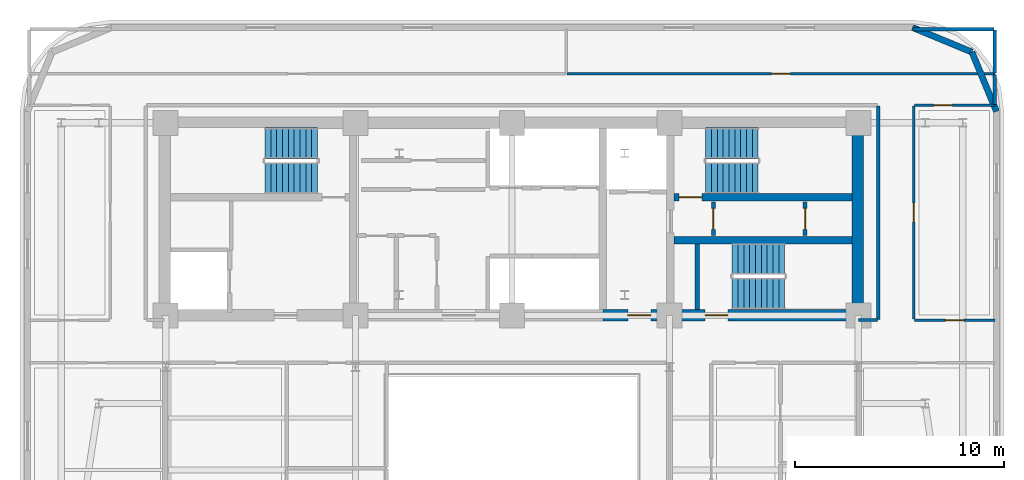
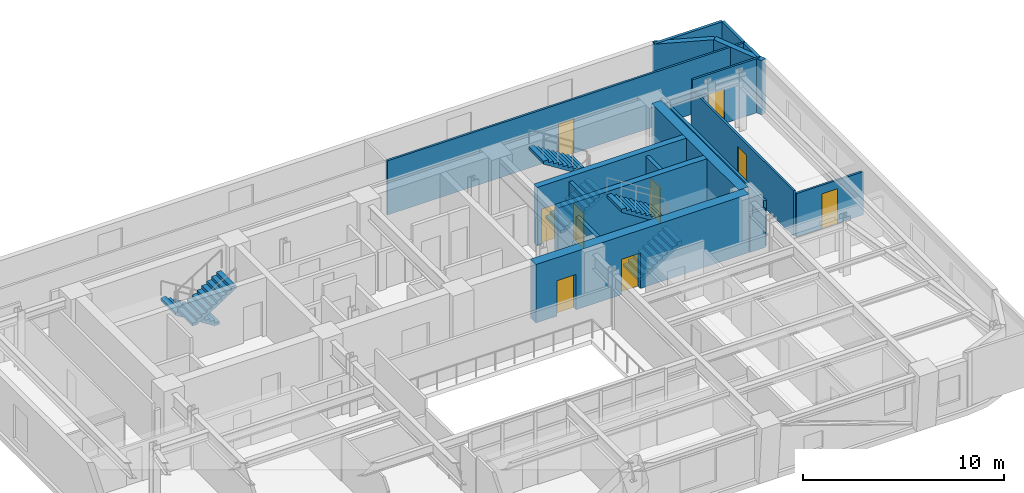
# One storey, part 9 of 12: 18 walls, 9 doors, 6 stair flights, 9 openings, 3 elements without a shape of their own.
"""IFC4 building model written with IfcOpenShell, lengths in metres."""

from ifc_helpers import new_model, si_unit, direction, frame, frame_2d, origin, place, context, subcontext, project, spatial, polyline, rectangle, outline, extrude, material, layer, layer_set, type_object, element, fill, aggregate, save


model = new_model("IFC4")

# Units and contexts
model_context = context("Model", 3, precision=1e-05, world=origin(), true_north=direction((0.0, 1.0)))
body_context = subcontext(model_context, "Body", "Model", "MODEL_VIEW")
ifc_project = project(units=[si_unit("LENGTHUNIT", "METRE"), si_unit("AREAUNIT", "SQUARE_METRE"), si_unit("VOLUMEUNIT", "CUBIC_METRE"), si_unit("PLANEANGLEUNIT", "RADIAN"), si_unit("MASSUNIT", "GRAM", prefix="KILO")], contexts=[model_context])

# Site, building, storey
site_placement = place(None, origin())
site = spatial("IfcSite", under=ifc_project, at=site_placement, CompositionType="ELEMENT")
building_placement = place(site_placement, origin())
building = spatial("IfcBuilding", under=site, at=building_placement, Name="Zarnavel Station Tower", CompositionType="ELEMENT")
storey_placement = place(building_placement, frame((0.0, 0.0, 173.199951171875)))
storey = spatial("IfcBuildingStorey", under=building, at=storey_placement, Name="L47", CompositionType="ELEMENT", Elevation=173.199951171875)

# Wall, opening, door
ifc_material_1 = material(Name="Concrete C50/60", Category="concrete")
ifc_layer_1 = layer(ifc_material_1, 0.35009765625)
ifc_layer_set_1 = layer_set([ifc_layer_1], Name="CW_350")
wall_type_1 = type_object("IfcWallType", Name="CW_350", PredefinedType="SHEAR", material=ifc_layer_set_1)
wall_1_placement = place(storey_placement, frame((45.10498046875, 33.47998046875, 0.0), z_axis=(0.0, 0.0, 1.0), x_axis=(-1.0, 0.0, 0.0)))
wall_1 = element("IfcWall", 1, at=wall_1_placement, inside=storey, type_object=wall_type_1, Name="L47 Rear Core Shear Wall DIV-H2", PredefinedType="SHEAR", context=body_context, shape_type="SweptSolid", body=[
    extrude(rectangle(XDim=8.550048828125, YDim=0.35009765625, at=frame_2d((4.27490234375, 0.0))), origin(), (0.0, 0.0, 1.0), 3.550048828125),
])
opening_1_placement = place(wall_1_placement, frame((7.205078125, 0.0, 0.0)))
opening_1 = element("IfcOpeningElement", 2, at=opening_1_placement, cuts=wall_1, Name="Opening FD01", PredefinedType="OPENING", context=body_context, shape_type="SweptSolid", body=[
    extrude(rectangle(XDim=1.10009765625, YDim=2.14990234375, at=frame_2d((0.550048828125, 1.074951171875))), frame((0.0, 0.18505859375, 0.0), z_axis=(0.0, -1.0, 0.0), x_axis=(1.0, 0.0, 0.0)), (0.0, 0.0, 1.0), 0.3701171875),
])
ifc_material_2 = material(Name="Painted Galvanised Steel and Hardwood Leaf", Category="steel")
door_type_1 = type_object("IfcDoorType", Name="ID_STAIR_1100", OperationType="NOTDEFINED", PredefinedType="DOOR", material=ifc_material_2)
door_1_placement = place(opening_1_placement, origin())
door_1 = element("IfcDoor", 3, at=door_1_placement, inside=storey, type_object=door_type_1, Name="L47 Stair ST2 Lobby Fire Door", OperationType="SINGLE_SWING_RIGHT", OverallHeight=2.14990234375, OverallWidth=1.10009765625, PredefinedType="DOOR", context=body_context, shape_type="SweptSolid", body=[
    extrude(rectangle(XDim=1.10009765625, YDim=2.14990234375, at=frame_2d((0.550048828125, 1.074951171875))), frame((0.0, 0.02490234375, 0.0), z_axis=(0.0, -1.0, 0.0), x_axis=(1.0, 0.0, 0.0)), (0.0, 0.0, 1.0), 0.050048828125),
])
fill(opening_1, door_1)

# Wall
wall_2_placement = place(storey_placement, frame((36.554931640625, 31.419921875, 0.0), z_axis=(0.0, 0.0, 1.0), x_axis=(1.0, 0.0, 0.0)))
element("IfcWall", 4, at=wall_2_placement, inside=storey, type_object=wall_type_1, Name="L47 Rear Core Shear Wall DIV-H3", PredefinedType="SHEAR", context=body_context, shape_type="SweptSolid", body=[
    extrude(rectangle(XDim=8.550048828125, YDim=0.35009765625, at=frame_2d((4.27490234375, 0.0))), origin(), (0.0, 0.0, 1.0), 3.550048828125),
])

# Wall, openings, doors
ifc_material_3 = material(Name="Concrete C50/60", Category="concrete")
ifc_layer_2 = layer(ifc_material_3, 0.550048828125)
ifc_layer_set_2 = layer_set([ifc_layer_2], Name="CW_550")
wall_type_2 = type_object("IfcWallType", Name="CW_550", PredefinedType="SHEAR", material=ifc_layer_set_2)
wall_3_placement = place(storey_placement, frame((45.3798828125, 27.820068359375, 0.0), z_axis=(0.0, 0.0, 1.0), x_axis=(-1.0, 0.0, 0.0)))
wall_3 = element("IfcWall", 5, at=wall_3_placement, inside=storey, type_object=wall_type_2, Name="L47 Rear Core Shear Wall S-E", PredefinedType="SHEAR", context=body_context, shape_type="SweptSolid", body=[
    extrude(rectangle(XDim=12.22998046875, YDim=0.550048828125, at=frame_2d((6.114990234375, 0.0))), origin(), (0.0, 0.0, 1.0), 3.550048828125),
])
opening_2_placement = place(wall_3_placement, frame((9.929931640625, 0.0, 0.0)))
opening_2 = element("IfcOpeningElement", 6, at=opening_2_placement, cuts=wall_3, Name="Opening FD01", PredefinedType="OPENING", context=body_context, shape_type="SweptSolid", body=[
    extrude(rectangle(XDim=1.10009765625, YDim=2.14990234375, at=frame_2d((0.550048828125, 1.074951171875))), frame((0.0, 0.284912109375, 0.0), z_axis=(0.0, -1.0, 0.0), x_axis=(1.0, 0.0, 0.0)), (0.0, 0.0, 1.0), 0.570068359375),
])
opening_3_placement = place(wall_3_placement, frame((6.22998046875, 0.0, 0.0)))
opening_3 = element("IfcOpeningElement", 7, at=opening_3_placement, cuts=wall_3, Name="Opening FD01", PredefinedType="OPENING", context=body_context, shape_type="SweptSolid", body=[
    extrude(rectangle(XDim=1.10009765625, YDim=2.14990234375, at=frame_2d((0.550048828125, 1.074951171875))), frame((0.0, 0.284912109375, 0.0), z_axis=(0.0, -1.0, 0.0), x_axis=(1.0, 0.0, 0.0)), (0.0, 0.0, 1.0), 0.570068359375),
])
door_2_placement = place(opening_2_placement, origin())
door_2 = element("IfcDoor", 8, at=door_2_placement, inside=storey, type_object=door_type_1, Name="L47 East Firefighting Lobby Door", OperationType="SINGLE_SWING_LEFT", OverallHeight=2.14990234375, OverallWidth=1.10009765625, PredefinedType="DOOR", context=body_context, shape_type="SweptSolid", body=[
    extrude(rectangle(XDim=1.10009765625, YDim=2.14990234375, at=frame_2d((0.550048828125, 1.074951171875))), frame((0.0, 0.02490234375, 0.0), z_axis=(0.0, -1.0, 0.0), x_axis=(1.0, 0.0, 0.0)), (0.0, 0.0, 1.0), 0.050048828125),
])
fill(opening_2, door_2)
door_3_placement = place(opening_3_placement, origin())
door_3 = element("IfcDoor", 9, at=door_3_placement, inside=storey, type_object=door_type_1, Name="L47 Stair ST3 Corridor Fire Door", OperationType="SINGLE_SWING_RIGHT", OverallHeight=2.14990234375, OverallWidth=1.10009765625, PredefinedType="DOOR", context=body_context, shape_type="SweptSolid", body=[
    extrude(rectangle(XDim=1.10009765625, YDim=2.14990234375, at=frame_2d((0.550048828125, 1.074951171875))), frame((0.0, 0.02490234375, 0.0), z_axis=(0.0, -1.0, 0.0), x_axis=(1.0, 0.0, 0.0)), (0.0, 0.0, 1.0), 0.050048828125),
])
fill(opening_3, door_3)

# Walls
wall_4_placement = place(storey_placement, frame((45.3798828125, 28.094970703125, 0.0), z_axis=(0.0, 0.0, 1.0), x_axis=(0.0, 1.0, 0.0)))
element("IfcWall", 10, at=wall_4_placement, inside=storey, type_object=wall_type_2, Name="L47 Rear Core Shear Wall E", PredefinedType="SHEAR", context=body_context, shape_type="SweptSolid", body=[
    extrude(rectangle(XDim=8.679931640625, YDim=0.550048828125, at=frame_2d((4.33984375, 0.0))), origin(), (0.0, 0.0, 1.0), 3.550048828125),
])
ifc_material_4 = material(Name="Precast concrete C45/55 (Dark Basalt Finish)", Category="masonry")
ifc_layer_3 = layer(ifc_material_4, 0.300048828125)
ifc_layer_set_3 = layer_set([ifc_layer_3], Name="EW_BASALT_300")
wall_type_3 = type_object("IfcWallType", Name="EW_BASALT_300", PredefinedType="SOLIDWALL", material=ifc_layer_set_3)
for number, where, z_axis, x_axis, name in (
    (11, (50.842529296875, 40.442626953125, 0.0), (0.0, 0.0, 1.0), (0.382704529509, -0.923870793506, 0.0), "L47 Exterior Basalt Masonry Frame Wall 04"),
    (12, (48.0, 41.6201171875, 0.0), (0.0, 0.0, 1.0), (0.923870793506, -0.382704529509, 0.0), "L47 Exterior Basalt Masonry Frame Wall 05"),
):
    element("IfcWall", number, at=place(storey_placement, frame(where, z_axis=z_axis, x_axis=x_axis)), inside=storey, type_object=wall_type_3, Name=name, PredefinedType="SOLIDWALL", context=body_context, shape_type="SweptSolid", body=[
        extrude(rectangle(XDim=3.07666015625, YDim=0.300048828125, at=frame_2d((1.538330078125, 0.0))), origin(), (0.0, 0.0, 1.0), 3.2900390625),
    ])
ifc_material_5 = material(Name="Gypsum Twin-Stud Acoustic Fire Partition", Category="concrete")
ifc_layer_4 = layer(ifc_material_5, 0.159912109375)
ifc_layer_set_4 = layer_set([ifc_layer_4], Name="PT_DEMISE_160")
wall_type_4 = type_object("IfcWallType", Name="PT_DEMISE_160", PredefinedType="PARTITIONING", material=ifc_layer_set_4)
wall_5_placement = place(storey_placement, frame((45.409912109375, 27.60009765625, 0.0), z_axis=(0.0, 0.0, 1.0), x_axis=(1.0, 0.0, 0.0)))
element("IfcWall", 13, at=wall_5_placement, inside=storey, type_object=wall_type_4, Name="L47 Enclosure Wall COR-S", PredefinedType="PARTITIONING", context=body_context, shape_type="SweptSolid", body=[
    extrude(rectangle(XDim=0.91015625, YDim=0.159912109375, at=frame_2d((0.455078125, 0.0))), origin(), (0.0, 0.0, 1.0), 2.360107421875),
])
wall_6_placement = place(storey_placement, frame((46.35009765625, 27.6298828125, 0.0), z_axis=(0.0, 0.0, 1.0), x_axis=(0.0, 1.0, 0.0)))
element("IfcWall", 14, at=wall_6_placement, inside=storey, type_object=wall_type_4, Name="L47 Enclosure Wall COR-E", PredefinedType="PARTITIONING", context=body_context, shape_type="SweptSolid", body=[
    extrude(rectangle(XDim=10.240234375, YDim=0.159912109375, at=frame_2d((5.1201171875, 0.0))), origin(), (0.0, 0.0, 1.0), 2.77001953125),
])
wall_7_placement = place(storey_placement, frame((51.93994140625, 37.929931640625, 0.0), z_axis=(0.0, 0.0, 1.0), x_axis=(0.0, 1.0, 0.0)))
element("IfcWall", 15, at=wall_7_placement, inside=storey, type_object=wall_type_4, Name="L47 Enclosure Wall COR-N", PredefinedType="PARTITIONING", context=body_context, shape_type="SweptSolid", body=[
    extrude(rectangle(XDim=1.440185546875, YDim=0.159912109375, at=frame_2d((0.72021484375, 0.0))), origin(), (0.0, 0.0, 1.0), 3.2900390625),
])
wall_8_placement = place(storey_placement, frame((48.030029296875, 41.5400390625, 0.0), z_axis=(0.0, 0.0, 1.0), x_axis=(1.0, 0.0, 0.0)))
element("IfcWall", 16, at=wall_8_placement, inside=storey, type_object=wall_type_4, Name="L47 Enclosure Wall NBRD", PredefinedType="PARTITIONING", context=body_context, shape_type="SweptSolid", body=[
    extrude(rectangle(XDim=3.8798828125, YDim=0.159912109375, at=frame_2d((1.93994140625, 0.0))), origin(), (0.0, 0.0, 1.0), 3.2900390625),
])
wall_9_placement = place(storey_placement, frame((51.93994140625, 39.429931640625, 0.0), z_axis=(0.0, 0.0, 1.0), x_axis=(0.0, 1.0, 0.0)))
element("IfcWall", 17, at=wall_9_placement, inside=storey, type_object=wall_type_4, Name="L47 Enclosure Wall NBRD", PredefinedType="PARTITIONING", context=body_context, shape_type="SweptSolid", body=[
    extrude(rectangle(XDim=2.080078125, YDim=0.159912109375, at=frame_2d((1.0400390625, 0.0))), origin(), (0.0, 0.0, 1.0), 3.2900390625),
])

# Wall, opening, door
ifc_material_6 = material(Name="Gypsum Metal-Stud Interior Partition", Category="concrete")
ifc_layer_5 = layer(ifc_material_6, 0.1201171875)
ifc_layer_set_5 = layer_set([ifc_layer_5], Name="PT_ROOM_120")
wall_type_5 = type_object("IfcWallType", Name="PT_ROOM_120", PredefinedType="PARTITIONING", material=ifc_layer_set_5)
wall_10_placement = place(storey_placement, frame((48.090087890625, 27.60009765625, 0.0), z_axis=(0.0, 0.0, 1.0), x_axis=(1.0, 0.0, 0.0)))
wall_10 = element("IfcWall", 18, at=wall_10_placement, inside=storey, type_object=wall_type_5, Name="L47 Partition COR-S-FNE", PredefinedType="PARTITIONING", context=body_context, shape_type="SweptSolid", body=[
    extrude(rectangle(XDim=3.849853515625, YDim=0.1201171875, at=frame_2d((1.9248046875, 0.0))), origin(), (0.0, 0.0, 1.0), 2.6201171875),
])
opening_4_placement = place(wall_10_placement, frame((1.47509765625, 0.0, 0.0)))
opening_4 = element("IfcOpeningElement", 19, at=opening_4_placement, cuts=wall_10, Name="Opening ID01", PredefinedType="OPENING", context=body_context, shape_type="SweptSolid", body=[
    extrude(rectangle(XDim=0.89990234375, YDim=2.10009765625, at=frame_2d((0.449951171875, 1.050048828125))), frame((0.0, 0.070068359375, 0.0), z_axis=(0.0, -1.0, 0.0), x_axis=(1.0, 0.0, 0.0)), (0.0, 0.0, 1.0), 0.14013671875),
])
ifc_material_7 = material(Name="Painted Galvanised Steel and Hardwood Leaf", Category="steel")
door_type_2 = type_object("IfcDoorType", Name="ID_ROOM_900", OperationType="NOTDEFINED", PredefinedType="DOOR", material=ifc_material_7)
door_4_placement = place(opening_4_placement, origin())
door_4 = element("IfcDoor", 20, at=door_4_placement, inside=storey, type_object=door_type_2, Name="L47 Door COR-S-FNE", OperationType="SINGLE_SWING_LEFT", OverallHeight=2.10009765625, OverallWidth=0.89990234375, PredefinedType="DOOR", context=body_context, shape_type="SweptSolid", body=[
    extrude(rectangle(XDim=0.89990234375, YDim=2.10009765625, at=frame_2d((0.449951171875, 1.050048828125))), frame((0.0, 0.02490234375, 0.0), z_axis=(0.0, -1.0, 0.0), x_axis=(1.0, 0.0, 0.0)), (0.0, 0.0, 1.0), 0.050048828125),
])
fill(opening_4, door_4)

wall_11_placement = place(storey_placement, frame((48.050048828125, 27.639892578125, 0.0), z_axis=(0.0, 0.0, 1.0), x_axis=(0.0, 1.0, 0.0)))
wall_11 = element("IfcWall", 21, at=wall_11_placement, inside=storey, type_object=wall_type_5, Name="L47 Partition COR-E-FNE", PredefinedType="PARTITIONING", context=body_context, shape_type="SweptSolid", body=[
    extrude(rectangle(XDim=10.22021484375, YDim=0.1201171875, at=frame_2d((5.110107421875, 0.0))), origin(), (0.0, 0.0, 1.0), 2.77001953125),
])
opening_5_placement = place(wall_11_placement, frame((4.659912109375, 0.0, 0.0)))
opening_5 = element("IfcOpeningElement", 22, at=opening_5_placement, cuts=wall_11, Name="Opening ID01", PredefinedType="OPENING", context=body_context, shape_type="SweptSolid", body=[
    extrude(rectangle(XDim=0.89990234375, YDim=2.10009765625, at=frame_2d((0.449951171875, 1.050048828125))), frame((0.0, 0.070068359375, 0.0), z_axis=(0.0, -1.0, 0.0), x_axis=(1.0, 0.0, 0.0)), (0.0, 0.0, 1.0), 0.14013671875),
])
door_5_placement = place(opening_5_placement, origin())
door_5 = element("IfcDoor", 23, at=door_5_placement, inside=storey, type_object=door_type_2, Name="L47 Door COR-E-FNE", OperationType="SINGLE_SWING_RIGHT", OverallHeight=2.10009765625, OverallWidth=0.89990234375, PredefinedType="DOOR", context=body_context, shape_type="SweptSolid", body=[
    extrude(rectangle(XDim=0.89990234375, YDim=2.10009765625, at=frame_2d((0.449951171875, 1.050048828125))), frame((0.0, 0.02490234375, 0.0), z_axis=(0.0, -1.0, 0.0), x_axis=(1.0, 0.0, 0.0)), (0.0, 0.0, 1.0), 0.050048828125),
])
fill(opening_5, door_5)

wall_12_placement = place(storey_placement, frame((48.090087890625, 37.89990234375, 0.0), z_axis=(0.0, 0.0, 1.0), x_axis=(1.0, 0.0, 0.0)))
wall_12 = element("IfcWall", 24, at=wall_12_placement, inside=storey, type_object=wall_type_5, Name="L47 Partition COR-N-FNE", PredefinedType="PARTITIONING", context=body_context, shape_type="SweptSolid", body=[
    extrude(rectangle(XDim=3.849853515625, YDim=0.1201171875, at=frame_2d((1.9248046875, 0.0))), origin(), (0.0, 0.0, 1.0), 3.2900390625),
])
opening_6_placement = place(wall_12_placement, frame((0.918701171875, 0.0, 0.0)))
opening_6 = element("IfcOpeningElement", 25, at=opening_6_placement, cuts=wall_12, Name="Opening ID01", PredefinedType="OPENING", context=body_context, shape_type="SweptSolid", body=[
    extrude(rectangle(XDim=0.89990234375, YDim=2.10009765625, at=frame_2d((0.449951171875, 1.050048828125))), frame((0.0, 0.070068359375, 0.0), z_axis=(0.0, -1.0, 0.0), x_axis=(1.0, 0.0, 0.0)), (0.0, 0.0, 1.0), 0.14013671875),
])
door_6_placement = place(opening_6_placement, origin())
door_6 = element("IfcDoor", 26, at=door_6_placement, inside=storey, type_object=door_type_2, Name="L47 Door COR-N-FNE", OperationType="SINGLE_SWING_RIGHT", OverallHeight=2.10009765625, OverallWidth=0.89990234375, PredefinedType="DOOR", context=body_context, shape_type="SweptSolid", body=[
    extrude(rectangle(XDim=0.89990234375, YDim=2.10009765625, at=frame_2d((0.449951171875, 1.050048828125))), frame((0.0, 0.02490234375, 0.0), z_axis=(0.0, -1.0, 0.0), x_axis=(1.0, 0.0, 0.0)), (0.0, 0.0, 1.0), 0.050048828125),
])
fill(opening_6, door_6)

wall_13_placement = place(storey_placement, frame((31.43994140625, 39.39990234375, 0.0), z_axis=(0.0, 0.0, 1.0), x_axis=(1.0, 0.0, 0.0)))
wall_13 = element("IfcWall", 27, at=wall_13_placement, inside=storey, type_object=wall_type_5, Name="L47 Partition COR-N-NBRD", PredefinedType="PARTITIONING", context=body_context, shape_type="SweptSolid", body=[
    extrude(rectangle(XDim=20.5, YDim=0.1201171875, at=frame_2d((10.25, 0.0))), origin(), (0.0, 0.0, 1.0), 3.2900390625),
])
opening_7_placement = place(wall_13_placement, frame((9.800048828125, 0.0, 0.0)))
opening_7 = element("IfcOpeningElement", 28, at=opening_7_placement, cuts=wall_13, Name="Opening ID01", PredefinedType="OPENING", context=body_context, shape_type="SweptSolid", body=[
    extrude(rectangle(XDim=0.89990234375, YDim=2.10009765625, at=frame_2d((0.449951171875, 1.050048828125))), frame((0.0, 0.070068359375, 0.0), z_axis=(0.0, -1.0, 0.0), x_axis=(1.0, 0.0, 0.0)), (0.0, 0.0, 1.0), 0.14013671875),
])
door_7_placement = place(opening_7_placement, origin())
door_7 = element("IfcDoor", 29, at=door_7_placement, inside=storey, type_object=door_type_2, Name="L47 Door COR-N-NBRD", OperationType="SINGLE_SWING_RIGHT", OverallHeight=2.10009765625, OverallWidth=0.89990234375, PredefinedType="DOOR", context=body_context, shape_type="SweptSolid", body=[
    extrude(rectangle(XDim=0.89990234375, YDim=2.10009765625, at=frame_2d((0.449951171875, 1.050048828125))), frame((0.0, 0.02490234375, 0.0), z_axis=(0.0, -1.0, 0.0), x_axis=(1.0, 0.0, 0.0)), (0.0, 0.0, 1.0), 0.050048828125),
])
fill(opening_7, door_7)

# Wall
ifc_material_8 = material(Name="Precast concrete C45/55 (Fire Shaft Blockwork)", Category="masonry")
ifc_layer_6 = layer(ifc_material_8, 0.199951171875)
ifc_layer_set_6 = layer_set([ifc_layer_6], Name="PT_SHAFT_200")
wall_type_6 = type_object("IfcWallType", Name="PT_SHAFT_200", PredefinedType="PARTITIONING", material=ifc_layer_set_6)
wall_14_placement = place(storey_placement, frame((37.679931640625, 28.094970703125, 0.0), z_axis=(0.0, 0.0, 1.0), x_axis=(0.0, 1.0, 0.0)))
element("IfcWall", 30, at=wall_14_placement, inside=storey, type_object=wall_type_6, Name="L47 Stair ST3 West Shaft Wall", PredefinedType="PARTITIONING", context=body_context, shape_type="SweptSolid", body=[
    extrude(rectangle(XDim=3.155029296875, YDim=0.199951171875, at=frame_2d((1.57763671875, 0.0))), origin(), (0.0, 0.0, 1.0), 2.670166015625),
])

# Wall, opening, door
wall_15_placement = place(storey_placement, frame((38.449951171875, 31.639892578125, 0.0), z_axis=(0.0, 0.0, 1.0), x_axis=(0.0, 1.0, 0.0)))
wall_15 = element("IfcWall", 31, at=wall_15_placement, inside=storey, type_object=wall_type_6, Name="L47 Partition ESTV-CEA", PredefinedType="PARTITIONING", context=body_context, shape_type="SweptSolid", body=[
    extrude(rectangle(XDim=1.6201171875, YDim=0.199951171875, at=frame_2d((0.81005859375, 0.0))), origin(), (0.0, 0.0, 1.0), 3.2900390625),
])
opening_8_placement = place(wall_15_placement, frame((0.31005859375, 0.0, 0.0)))
opening_8 = element("IfcOpeningElement", 32, at=opening_8_placement, cuts=wall_15, Name="Opening FD02", PredefinedType="OPENING", context=body_context, shape_type="SweptSolid", body=[
    extrude(rectangle(XDim=1.0, YDim=2.14990234375, at=frame_2d((0.5, 1.074951171875))), frame((0.0, 0.10986328125, 0.0), z_axis=(0.0, -1.0, 0.0), x_axis=(1.0, 0.0, 0.0)), (0.0, 0.0, 1.0), 0.219970703125),
])
ifc_material_9 = material(Name="Painted Galvanised Steel and Hardwood Leaf", Category="steel")
door_type_3 = type_object("IfcDoorType", Name="ID_ENTRY_1000", OperationType="NOTDEFINED", PredefinedType="DOOR", material=ifc_material_9)
door_8_placement = place(opening_8_placement, origin())
door_8 = element("IfcDoor", 33, at=door_8_placement, inside=storey, type_object=door_type_3, Name="L47 Door ESTV-CEA", OperationType="SINGLE_SWING_LEFT", OverallHeight=2.14990234375, OverallWidth=1.0, PredefinedType="DOOR", context=body_context, shape_type="SweptSolid", body=[
    extrude(rectangle(XDim=1.0, YDim=2.14990234375, at=frame_2d((0.5, 1.074951171875))), frame((0.0, 0.02490234375, 0.0), z_axis=(0.0, -1.0, 0.0), x_axis=(1.0, 0.0, 0.0)), (0.0, 0.0, 1.0), 0.050048828125),
])
fill(opening_8, door_8)

wall_16_placement = place(storey_placement, frame((42.85009765625, 31.639892578125, 0.0), z_axis=(0.0, 0.0, 1.0), x_axis=(0.0, 1.0, 0.0)))
wall_16 = element("IfcWall", 34, at=wall_16_placement, inside=storey, type_object=wall_type_6, Name="L47 Partition CEA-CEB", PredefinedType="PARTITIONING", context=body_context, shape_type="SweptSolid", body=[
    extrude(rectangle(XDim=1.6201171875, YDim=0.199951171875, at=frame_2d((0.81005859375, 0.0))), origin(), (0.0, 0.0, 1.0), 3.2900390625),
])
opening_9_placement = place(wall_16_placement, frame((0.31005859375, 0.0, 0.0)))
opening_9 = element("IfcOpeningElement", 35, at=opening_9_placement, cuts=wall_16, Name="Opening FD02", PredefinedType="OPENING", context=body_context, shape_type="SweptSolid", body=[
    extrude(rectangle(XDim=1.0, YDim=2.14990234375, at=frame_2d((0.5, 1.074951171875))), frame((0.0, 0.10986328125, 0.0), z_axis=(0.0, -1.0, 0.0), x_axis=(1.0, 0.0, 0.0)), (0.0, 0.0, 1.0), 0.219970703125),
])
door_9_placement = place(opening_9_placement, origin())
door_9 = element("IfcDoor", 36, at=door_9_placement, inside=storey, type_object=door_type_3, Name="L47 Door CEA-CEB", OperationType="SINGLE_SWING_RIGHT", OverallHeight=2.14990234375, OverallWidth=1.0, PredefinedType="DOOR", context=body_context, shape_type="SweptSolid", body=[
    extrude(rectangle(XDim=1.0, YDim=2.14990234375, at=frame_2d((0.5, 1.074951171875))), frame((0.0, 0.02490234375, 0.0), z_axis=(0.0, -1.0, 0.0), x_axis=(1.0, 0.0, 0.0)), (0.0, 0.0, 1.0), 0.050048828125),
])
fill(opening_9, door_9)

# Stair, stair flights
ifc_material_10 = material(Name="Concrete C45/55", Category="concrete")
stair_type = type_object("IfcStairType", Name="ST_CORE_150", PredefinedType="HALF_TURN_STAIR", material=ifc_material_10)
stair_1_placement = place(storey_placement, origin())
stair_1 = element("IfcStair", 37, at=stair_1_placement, inside=storey, type_object=stair_type, Name="L47 Core Exit Stair ST1", PredefinedType="HALF_TURN_STAIR")
ifc_material_11 = material(Name="Concrete C45/55", Category="concrete")
ifc_layer_7 = layer(ifc_material_11, 0.179931640625)
ifc_layer_set_7 = layer_set([ifc_layer_7], Name="ST_CORE_150_FLT")
stair_flight_type = type_object("IfcStairFlightType", Name="ST_CORE_150_FLT", PredefinedType="STRAIGHT", material=ifc_layer_set_7)
stair_flight_1_placement = place(storey_placement, frame((19.47998046875, 36.070068359375, 0.0), z_axis=(0.0, 0.0, 1.0), x_axis=(-1.0, 0.0, 0.0)))
stair_flight_1 = element("IfcStairFlight", 38, at=stair_flight_1_placement, type_object=stair_flight_type, Name="ST1 flight 1", NumberOfRisers=10, NumberOfTreads=9, PredefinedType="STRAIGHT", RiserHeight=0.1775, TreadLength=0.28, context=body_context, shape_type="SweptSolid", body=[
    extrude(outline(polyline([(0.0, 0.0), (0.0, 0.177490234375), (0.280029296875, 0.177490234375), (0.280029296875, 0.35498046875), (0.56005859375, 0.35498046875), (0.56005859375, 0.532470703125), (0.840087890625, 0.532470703125), (0.840087890625, 0.7099609375), (1.1201171875, 0.7099609375), (1.1201171875, 0.887451171875), (1.39990234375, 0.887451171875), (1.39990234375, 1.06494140625), (1.679931640625, 1.06494140625), (1.679931640625, 1.242431640625), (1.9599609375, 1.242431640625), (1.9599609375, 1.419921875), (2.239990234375, 1.419921875), (2.239990234375, 1.597412109375), (2.52001953125, 1.597412109375), (2.52001953125, 1.77490234375), (2.52001953125, 1.419921875), (0.280029296875, 0.0), (0.0, 0.0)])), frame((0.0, 0.75, 0.0), z_axis=(0.0, -1.0, 0.0), x_axis=(1.0, 0.0, 0.0)), (0.0, 0.0, 1.0), 1.5),
])
stair_flight_2_placement = place(storey_placement, frame((16.9599609375, 34.409912109375, 1.775146484375), z_axis=(0.0, 0.0, 1.0), x_axis=(1.0, 0.0, 0.0)))
stair_flight_2 = element("IfcStairFlight", 39, at=stair_flight_2_placement, type_object=stair_flight_type, Name="ST1 flight 2", NumberOfRisers=10, NumberOfTreads=9, PredefinedType="STRAIGHT", RiserHeight=0.1775, TreadLength=0.28, context=body_context, shape_type="SweptSolid", body=[
    extrude(outline(polyline([(0.0, 0.0), (0.0, 0.177490234375), (0.280029296875, 0.177490234375), (0.280029296875, 0.35498046875), (0.56005859375, 0.35498046875), (0.56005859375, 0.532470703125), (0.840087890625, 0.532470703125), (0.840087890625, 0.7099609375), (1.1201171875, 0.7099609375), (1.1201171875, 0.887451171875), (1.39990234375, 0.887451171875), (1.39990234375, 1.06494140625), (1.679931640625, 1.06494140625), (1.679931640625, 1.242431640625), (1.9599609375, 1.242431640625), (1.9599609375, 1.419921875), (2.239990234375, 1.419921875), (2.239990234375, 1.597412109375), (2.52001953125, 1.597412109375), (2.52001953125, 1.77490234375), (2.52001953125, 1.419921875), (0.280029296875, 0.0), (0.0, 0.0)])), frame((0.0, 0.75, 0.0), z_axis=(0.0, -1.0, 0.0), x_axis=(1.0, 0.0, 0.0)), (0.0, 0.0, 1.0), 1.5),
])
aggregate(stair_1, [stair_flight_1, stair_flight_2])

stair_2_placement = place(storey_placement, origin())
stair_2 = element("IfcStair", 40, at=stair_2_placement, inside=storey, type_object=stair_type, Name="L47 Core Exit Stair ST2", PredefinedType="HALF_TURN_STAIR")
stair_flight_3_placement = place(storey_placement, frame((38.080078125, 34.409912109375, 0.0), z_axis=(0.0, 0.0, 1.0), x_axis=(1.0, 0.0, 0.0)))
stair_flight_3 = element("IfcStairFlight", 41, at=stair_flight_3_placement, type_object=stair_flight_type, Name="ST2 flight 1", NumberOfRisers=10, NumberOfTreads=9, PredefinedType="STRAIGHT", RiserHeight=0.1775, TreadLength=0.28, context=body_context, shape_type="SweptSolid", body=[
    extrude(outline(polyline([(0.0, 0.0), (0.0, 0.177490234375), (0.280029296875, 0.177490234375), (0.280029296875, 0.35498046875), (0.56005859375, 0.35498046875), (0.56005859375, 0.532470703125), (0.840087890625, 0.532470703125), (0.840087890625, 0.7099609375), (1.1201171875, 0.7099609375), (1.1201171875, 0.887451171875), (1.39990234375, 0.887451171875), (1.39990234375, 1.06494140625), (1.679931640625, 1.06494140625), (1.679931640625, 1.242431640625), (1.9599609375, 1.242431640625), (1.9599609375, 1.419921875), (2.239990234375, 1.419921875), (2.239990234375, 1.597412109375), (2.52001953125, 1.597412109375), (2.52001953125, 1.77490234375), (2.52001953125, 1.419921875), (0.280029296875, 0.0), (0.0, 0.0)])), frame((0.0, 0.75, 0.0), z_axis=(0.0, -1.0, 0.0), x_axis=(1.0, 0.0, 0.0)), (0.0, 0.0, 1.0), 1.5),
])
stair_flight_4_placement = place(storey_placement, frame((40.60009765625, 36.070068359375, 1.775146484375), z_axis=(0.0, 0.0, 1.0), x_axis=(-1.0, 0.0, 0.0)))
stair_flight_4 = element("IfcStairFlight", 42, at=stair_flight_4_placement, type_object=stair_flight_type, Name="ST2 flight 2", NumberOfRisers=10, NumberOfTreads=9, PredefinedType="STRAIGHT", RiserHeight=0.1775, TreadLength=0.28, context=body_context, shape_type="SweptSolid", body=[
    extrude(outline(polyline([(0.0, 0.0), (0.0, 0.177490234375), (0.280029296875, 0.177490234375), (0.280029296875, 0.35498046875), (0.56005859375, 0.35498046875), (0.56005859375, 0.532470703125), (0.840087890625, 0.532470703125), (0.840087890625, 0.7099609375), (1.1201171875, 0.7099609375), (1.1201171875, 0.887451171875), (1.39990234375, 0.887451171875), (1.39990234375, 1.06494140625), (1.679931640625, 1.06494140625), (1.679931640625, 1.242431640625), (1.9599609375, 1.242431640625), (1.9599609375, 1.419921875), (2.239990234375, 1.419921875), (2.239990234375, 1.597412109375), (2.52001953125, 1.597412109375), (2.52001953125, 1.77490234375), (2.52001953125, 1.419921875), (0.280029296875, 0.0), (0.0, 0.0)])), frame((0.0, 0.75, 0.0), z_axis=(0.0, -1.0, 0.0), x_axis=(1.0, 0.0, 0.0)), (0.0, 0.0, 1.0), 1.5),
])
aggregate(stair_2, [stair_flight_3, stair_flight_4])

stair_3_placement = place(storey_placement, origin())
stair_3 = element("IfcStair", 43, at=stair_3_placement, inside=storey, type_object=stair_type, Name="L47 Core Exit Stair ST3", PredefinedType="HALF_TURN_STAIR")
stair_flight_5_placement = place(storey_placement, frame((39.35009765625, 28.8701171875, 0.0), z_axis=(0.0, 0.0, 1.0), x_axis=(1.0, 0.0, 0.0)))
stair_flight_5 = element("IfcStairFlight", 44, at=stair_flight_5_placement, type_object=stair_flight_type, Name="ST3 flight 1", NumberOfRisers=10, NumberOfTreads=9, PredefinedType="STRAIGHT", RiserHeight=0.1775, TreadLength=0.28, context=body_context, shape_type="SweptSolid", body=[
    extrude(outline(polyline([(0.0, 0.0), (0.0, 0.177490234375), (0.280029296875, 0.177490234375), (0.280029296875, 0.35498046875), (0.56005859375, 0.35498046875), (0.56005859375, 0.532470703125), (0.840087890625, 0.532470703125), (0.840087890625, 0.7099609375), (1.1201171875, 0.7099609375), (1.1201171875, 0.887451171875), (1.39990234375, 0.887451171875), (1.39990234375, 1.06494140625), (1.679931640625, 1.06494140625), (1.679931640625, 1.242431640625), (1.9599609375, 1.242431640625), (1.9599609375, 1.419921875), (2.239990234375, 1.419921875), (2.239990234375, 1.597412109375), (2.52001953125, 1.597412109375), (2.52001953125, 1.77490234375), (2.52001953125, 1.419921875), (0.280029296875, 0.0), (0.0, 0.0)])), frame((0.0, 0.75, 0.0), z_axis=(0.0, -1.0, 0.0), x_axis=(1.0, 0.0, 0.0)), (0.0, 0.0, 1.0), 1.5),
])
stair_flight_6_placement = place(storey_placement, frame((41.8701171875, 30.530029296875, 1.775146484375), z_axis=(0.0, 0.0, 1.0), x_axis=(-1.0, 0.0, 0.0)))
stair_flight_6 = element("IfcStairFlight", 45, at=stair_flight_6_placement, type_object=stair_flight_type, Name="ST3 flight 2", NumberOfRisers=10, NumberOfTreads=9, PredefinedType="STRAIGHT", RiserHeight=0.1775, TreadLength=0.28, context=body_context, shape_type="SweptSolid", body=[
    extrude(outline(polyline([(0.0, 0.0), (0.0, 0.177490234375), (0.280029296875, 0.177490234375), (0.280029296875, 0.35498046875), (0.56005859375, 0.35498046875), (0.56005859375, 0.532470703125), (0.840087890625, 0.532470703125), (0.840087890625, 0.7099609375), (1.1201171875, 0.7099609375), (1.1201171875, 0.887451171875), (1.39990234375, 0.887451171875), (1.39990234375, 1.06494140625), (1.679931640625, 1.06494140625), (1.679931640625, 1.242431640625), (1.9599609375, 1.242431640625), (1.9599609375, 1.419921875), (2.239990234375, 1.419921875), (2.239990234375, 1.597412109375), (2.52001953125, 1.597412109375), (2.52001953125, 1.77490234375), (2.52001953125, 1.419921875), (0.280029296875, 0.0), (0.0, 0.0)])), frame((0.0, 0.75, 0.0), z_axis=(0.0, -1.0, 0.0), x_axis=(1.0, 0.0, 0.0)), (0.0, 0.0, 1.0), 1.5),
])
aggregate(stair_3, [stair_flight_5, stair_flight_6])

save(model, "model.ifc")
